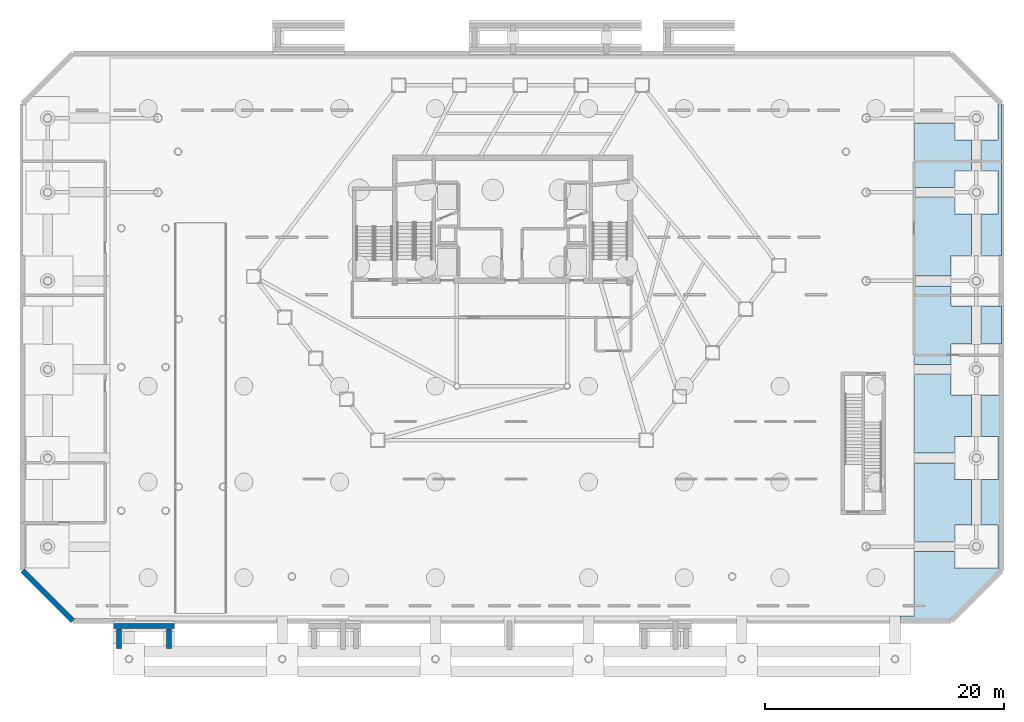
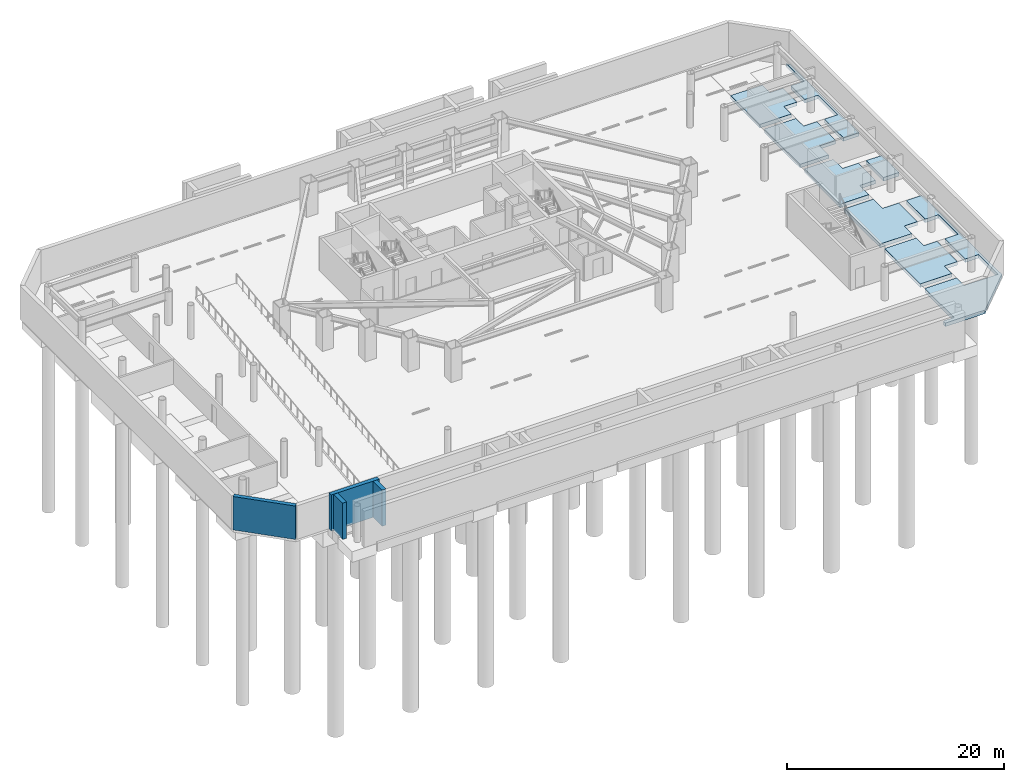
# One storey, part 9 of 19: 8 slabs, 4 walls.
"""IFC4 building model written with IfcOpenShell, lengths in metres."""

from ifc_helpers import new_model, si_unit, direction, frame, frame_2d, origin, place, context, subcontext, project, spatial, polyline, rectangle, outline, extrude, material, layer, layer_set, type_object, element, save


model = new_model("IFC4")

# Units and contexts
model_context = context("Model", 3, precision=1e-05, world=origin(), true_north=direction((0.0, 1.0)))
body_context = subcontext(model_context, "Body", "Model", "MODEL_VIEW")
ifc_project = project(units=[si_unit("LENGTHUNIT", "METRE"), si_unit("AREAUNIT", "SQUARE_METRE"), si_unit("VOLUMEUNIT", "CUBIC_METRE"), si_unit("PLANEANGLEUNIT", "RADIAN"), si_unit("MASSUNIT", "GRAM", prefix="KILO")], contexts=[model_context])

# Site, building, storey
site_placement = place(None, origin())
site = spatial("IfcSite", under=ifc_project, at=site_placement, CompositionType="ELEMENT")
building_placement = place(site_placement, origin())
building = spatial("IfcBuilding", under=site, at=building_placement, Name="Zarrinselat Tower", CompositionType="ELEMENT")
storey_placement = place(building_placement, frame((0.0, 0.0, -8.159912109375)))
storey = spatial("IfcBuildingStorey", under=building, at=storey_placement, Name="B02", CompositionType="ELEMENT", Elevation=-8.159912109375)

# Slabs
ifc_material_1 = material(Name="Concrete C50/60", Category="concrete")
ifc_layer_1 = layer(ifc_material_1, 0.39990234375)
ifc_layer_set_1 = layer_set([ifc_layer_1], Name="Concrete C50/60")
slab_type = type_object("IfcSlabType", Name="SLB-BASESLAB-400-SL-BS400", PredefinedType="BASESLAB", material=ifc_layer_set_1)
slab_1_placement = place(storey_placement, frame((0.0, 0.0, -0.400146484375)))
element("IfcSlab", 1, at=slab_1_placement, inside=storey, type_object=slab_type, Name="B02 Basement Base Slab Bay 8", PredefinedType="BASESLAB", context=body_context, shape_type="SweptSolid", body=[
    extrude(outline(polyline([(79.300048828125, 9.0), (75.10009765625, 4.800048828125), (70.864990234375, 4.800048828125), (70.864990234375, 5.18505859375), (72.0, 5.18505859375), (72.00146484375, 5.18505859375), (72.0029296875, 5.185302734375), (72.00439453125, 5.185546875), (72.005615234375, 5.18603515625), (72.007080078125, 5.186767578125), (72.00830078125, 5.1875), (72.009521484375, 5.1884765625), (72.010498046875, 5.189453125), (72.01171875, 5.1904296875), (72.012451171875, 5.191650390625), (72.01318359375, 5.19287109375), (72.013916015625, 5.1943359375), (72.014404296875, 5.195556640625), (72.0146484375, 5.197021484375), (72.014892578125, 5.198486328125), (72.014892578125, 5.199951171875), (72.014892578125, 10.5849609375), (75.385009765625, 10.5849609375), (75.385009765625, 9.199951171875), (75.385009765625, 9.198486328125), (75.38525390625, 9.197021484375), (75.385498046875, 9.195556640625), (75.385986328125, 9.1943359375), (75.38671875, 9.19287109375), (75.387451171875, 9.191650390625), (75.388427734375, 9.1904296875), (75.389404296875, 9.189453125), (75.390380859375, 9.1884765625), (75.3916015625, 9.1875), (75.392822265625, 9.186767578125), (75.394287109375, 9.18603515625), (75.3955078125, 9.185546875), (75.397216796875, 9.185302734375), (75.3984375, 9.18505859375), (75.39990234375, 9.18505859375), (79.0, 9.18505859375), (79.00146484375, 9.18505859375), (79.0029296875, 9.185302734375), (79.00439453125, 9.185546875), (79.005615234375, 9.18603515625), (79.007080078125, 9.186767578125), (79.00830078125, 9.1875), (79.009521484375, 9.1884765625), (79.010498046875, 9.189453125), (79.01171875, 9.1904296875), (79.012451171875, 9.191650390625), (79.01318359375, 9.19287109375), (79.013916015625, 9.1943359375), (79.014404296875, 9.195556640625), (79.0146484375, 9.197021484375), (79.014892578125, 9.198486328125), (79.014892578125, 9.199951171875), (79.014892578125, 12.800048828125), (79.014892578125, 12.801513671875), (79.0146484375, 12.802978515625), (79.014404296875, 12.804443359375), (79.013916015625, 12.8056640625), (79.01318359375, 12.80712890625), (79.012451171875, 12.808349609375), (79.01171875, 12.8095703125), (79.010498046875, 12.810546875), (79.009521484375, 12.8115234375), (79.00830078125, 12.8125), (79.007080078125, 12.813232421875), (79.005615234375, 12.81396484375), (79.00439453125, 12.814453125), (79.0029296875, 12.814697265625), (79.00146484375, 12.81494140625), (79.0, 12.81494140625), (77.614990234375, 12.81494140625), (77.614990234375, 16.5849609375), (79.0, 16.5849609375), (79.00146484375, 16.585205078125), (79.0029296875, 16.585205078125), (79.00439453125, 16.585693359375), (79.005615234375, 16.586181640625), (79.007080078125, 16.5869140625), (79.00830078125, 16.58740234375), (79.009521484375, 16.58837890625), (79.010498046875, 16.58935546875), (79.01171875, 16.590576171875), (79.012451171875, 16.591796875), (79.01318359375, 16.593017578125), (79.013916015625, 16.59423828125), (79.014404296875, 16.595703125), (79.0146484375, 16.59716796875), (79.014892578125, 16.598388671875), (79.014892578125, 16.60009765625), (79.014892578125, 20.199951171875), (79.014892578125, 20.201416015625), (79.0146484375, 20.202880859375), (79.014404296875, 20.204345703125), (79.013916015625, 20.205810546875), (79.01318359375, 20.20703125), (79.012451171875, 20.208251953125), (79.01171875, 20.20947265625), (79.010498046875, 20.210693359375), (79.009521484375, 20.211669921875), (79.00830078125, 20.21240234375), (79.007080078125, 20.213134765625), (79.005615234375, 20.2138671875), (79.00439453125, 20.21435546875), (79.0029296875, 20.214599609375), (79.00146484375, 20.21484375), (79.0, 20.215087890625), (77.614990234375, 20.215087890625), (77.614990234375, 23.68505859375), (79.300048828125, 23.68505859375), (79.300048828125, 9.0)])), origin(), (0.0, 0.0, 1.0), 0.400146484375),
])
slab_2_placement = place(storey_placement, frame((0.0, 0.0, -0.400146484375)))
element("IfcSlab", 2, at=slab_2_placement, inside=storey, type_object=slab_type, Name="B02 Basement Base Slab Bay 9", PredefinedType="BASESLAB", context=body_context, shape_type="SweptSolid", body=[
    extrude(outline(polyline([(79.300048828125, 27.9150390625), (77.614990234375, 27.9150390625), (77.614990234375, 31.0849609375), (79.300048828125, 31.0849609375), (79.300048828125, 27.9150390625)])), origin(), (0.0, 0.0, 1.0), 0.400146484375),
])
slab_3_placement = place(storey_placement, frame((0.0, 0.0, -0.400146484375)))
element("IfcSlab", 3, at=slab_3_placement, inside=storey, type_object=slab_type, Name="B02 Basement Base Slab Bay 10", PredefinedType="BASESLAB", context=body_context, shape_type="SweptSolid", body=[
    extrude(outline(polyline([(79.300048828125, 48.0), (79.300048828125, 35.31494140625), (77.614990234375, 35.31494140625), (77.614990234375, 38.784912109375), (79.0, 38.784912109375), (79.00146484375, 38.78515625), (79.0029296875, 38.785400390625), (79.00439453125, 38.78564453125), (79.005615234375, 38.7861328125), (79.007080078125, 38.786865234375), (79.00830078125, 38.78759765625), (79.009521484375, 38.788330078125), (79.010498046875, 38.789306640625), (79.01171875, 38.79052734375), (79.012451171875, 38.791748046875), (79.01318359375, 38.79296875), (79.013916015625, 38.794189453125), (79.014404296875, 38.795654296875), (79.0146484375, 38.797119140625), (79.014892578125, 38.798583984375), (79.014892578125, 38.800048828125), (79.014892578125, 42.39990234375), (79.014892578125, 42.401611328125), (79.0146484375, 42.40283203125), (79.014404296875, 42.404296875), (79.013916015625, 42.40576171875), (79.01318359375, 42.406982421875), (79.012451171875, 42.408203125), (79.01171875, 42.409423828125), (79.010498046875, 42.41064453125), (79.009521484375, 42.41162109375), (79.00830078125, 42.41259765625), (79.007080078125, 42.4130859375), (79.005615234375, 42.413818359375), (79.00439453125, 42.414306640625), (79.0029296875, 42.414794921875), (79.00146484375, 42.414794921875), (79.0, 42.4150390625), (77.614990234375, 42.4150390625), (77.614990234375, 44.985107421875), (79.0, 44.985107421875), (79.00146484375, 44.985107421875), (79.0029296875, 44.9853515625), (79.00439453125, 44.985595703125), (79.005615234375, 44.986083984375), (79.007080078125, 44.98681640625), (79.00830078125, 44.987548828125), (79.009521484375, 44.98828125), (79.010498046875, 44.989501953125), (79.01171875, 44.990478515625), (79.012451171875, 44.99169921875), (79.01318359375, 44.992919921875), (79.013916015625, 44.994384765625), (79.014404296875, 44.99560546875), (79.0146484375, 44.9970703125), (79.014892578125, 44.99853515625), (79.014892578125, 45.0), (79.014892578125, 48.284912109375), (79.300048828125, 48.0)])), origin(), (0.0, 0.0, 1.0), 0.400146484375),
])
slab_4_placement = place(storey_placement, frame((0.0, 0.0, -0.400146484375)))
element("IfcSlab", 4, at=slab_4_placement, inside=storey, type_object=slab_type, Name="B02 Basement Base Slab Bay 14", PredefinedType="BASESLAB", context=body_context, shape_type="SweptSolid", body=[
    extrude(outline(polyline([(72.014892578125, 41.014892578125), (72.014892578125, 46.385009765625), (75.385009765625, 46.385009765625), (75.385009765625, 45.0), (75.385009765625, 44.99853515625), (75.38525390625, 44.9970703125), (75.385498046875, 44.99560546875), (75.385986328125, 44.994384765625), (75.38671875, 44.992919921875), (75.387451171875, 44.99169921875), (75.388427734375, 44.990478515625), (75.389404296875, 44.989501953125), (75.390380859375, 44.98828125), (75.3916015625, 44.987548828125), (75.392822265625, 44.98681640625), (75.394287109375, 44.986083984375), (75.3955078125, 44.985595703125), (75.397216796875, 44.9853515625), (75.3984375, 44.985107421875), (75.39990234375, 44.985107421875), (76.784912109375, 44.985107421875), (76.784912109375, 42.4150390625), (75.39990234375, 42.4150390625), (75.3984375, 42.414794921875), (75.397216796875, 42.414794921875), (75.3955078125, 42.414306640625), (75.394287109375, 42.413818359375), (75.392822265625, 42.4130859375), (75.3916015625, 42.41259765625), (75.390380859375, 42.41162109375), (75.389404296875, 42.41064453125), (75.388427734375, 42.409423828125), (75.387451171875, 42.408203125), (75.38671875, 42.406982421875), (75.385986328125, 42.40576171875), (75.385498046875, 42.404296875), (75.38525390625, 42.40283203125), (75.385009765625, 42.401611328125), (75.385009765625, 42.39990234375), (75.385009765625, 41.014892578125), (72.014892578125, 41.014892578125)])), origin(), (0.0, 0.0, 1.0), 0.400146484375),
])
slab_5_placement = place(storey_placement, frame((0.0, 0.0, -0.400146484375)))
element("IfcSlab", 5, at=slab_5_placement, inside=storey, type_object=slab_type, Name="B02 Basement Base Slab Bay 15", PredefinedType="BASESLAB", context=body_context, shape_type="SweptSolid", body=[
    extrude(outline(polyline([(72.014892578125, 18.81494140625), (72.014892578125, 25.385009765625), (75.0849609375, 25.385009765625), (75.0849609375, 23.699951171875), (75.085205078125, 23.698486328125), (75.085205078125, 23.697021484375), (75.085693359375, 23.695556640625), (75.086181640625, 23.6943359375), (75.0869140625, 23.69287109375), (75.08740234375, 23.691650390625), (75.08837890625, 23.6904296875), (75.08935546875, 23.689453125), (75.090576171875, 23.6884765625), (75.091796875, 23.6875), (75.093017578125, 23.686767578125), (75.09423828125, 23.68603515625), (75.095703125, 23.685546875), (75.09716796875, 23.685302734375), (75.098388671875, 23.68505859375), (75.10009765625, 23.68505859375), (76.784912109375, 23.68505859375), (76.784912109375, 20.215087890625), (75.39990234375, 20.215087890625), (75.3984375, 20.21484375), (75.397216796875, 20.214599609375), (75.3955078125, 20.21435546875), (75.394287109375, 20.2138671875), (75.392822265625, 20.213134765625), (75.3916015625, 20.21240234375), (75.390380859375, 20.211669921875), (75.389404296875, 20.210693359375), (75.388427734375, 20.20947265625), (75.387451171875, 20.208251953125), (75.38671875, 20.20703125), (75.385986328125, 20.205810546875), (75.385498046875, 20.204345703125), (75.38525390625, 20.202880859375), (75.385009765625, 20.201416015625), (75.385009765625, 20.199951171875), (75.385009765625, 18.81494140625), (72.014892578125, 18.81494140625)])), origin(), (0.0, 0.0, 1.0), 0.400146484375),
])
slab_6_placement = place(storey_placement, frame((0.0, 0.0, -0.400146484375)))
element("IfcSlab", 6, at=slab_6_placement, inside=storey, type_object=slab_type, Name="B02 Basement Base Slab Bay 16", PredefinedType="BASESLAB", context=body_context, shape_type="SweptSolid", body=[
    extrude(outline(polyline([(72.014892578125, 11.4150390625), (72.014892578125, 17.985107421875), (75.385009765625, 17.985107421875), (75.385009765625, 16.60009765625), (75.385009765625, 16.598388671875), (75.38525390625, 16.59716796875), (75.385498046875, 16.595703125), (75.385986328125, 16.59423828125), (75.38671875, 16.593017578125), (75.387451171875, 16.591796875), (75.388427734375, 16.590576171875), (75.389404296875, 16.58935546875), (75.390380859375, 16.58837890625), (75.3916015625, 16.58740234375), (75.392822265625, 16.5869140625), (75.394287109375, 16.586181640625), (75.3955078125, 16.585693359375), (75.397216796875, 16.585205078125), (75.3984375, 16.585205078125), (75.39990234375, 16.5849609375), (76.784912109375, 16.5849609375), (76.784912109375, 12.81494140625), (75.39990234375, 12.81494140625), (75.3984375, 12.81494140625), (75.397216796875, 12.814697265625), (75.3955078125, 12.814453125), (75.394287109375, 12.81396484375), (75.392822265625, 12.813232421875), (75.3916015625, 12.8125), (75.390380859375, 12.8115234375), (75.389404296875, 12.810546875), (75.388427734375, 12.8095703125), (75.387451171875, 12.808349609375), (75.38671875, 12.80712890625), (75.385986328125, 12.8056640625), (75.385498046875, 12.804443359375), (75.38525390625, 12.802978515625), (75.385009765625, 12.801513671875), (75.385009765625, 12.800048828125), (75.385009765625, 11.4150390625), (72.014892578125, 11.4150390625)])), origin(), (0.0, 0.0, 1.0), 0.400146484375),
])
slab_7_placement = place(storey_placement, frame((0.0, 0.0, -0.400146484375)))
element("IfcSlab", 7, at=slab_7_placement, inside=storey, type_object=slab_type, Name="B02 Basement Base Slab Bay 17", PredefinedType="BASESLAB", context=body_context, shape_type="SweptSolid", body=[
    extrude(outline(polyline([(72.014892578125, 33.614990234375), (72.014892578125, 40.18505859375), (75.385009765625, 40.18505859375), (75.385009765625, 38.800048828125), (75.385009765625, 38.798583984375), (75.38525390625, 38.797119140625), (75.385498046875, 38.795654296875), (75.385986328125, 38.794189453125), (75.38671875, 38.79296875), (75.387451171875, 38.791748046875), (75.388427734375, 38.79052734375), (75.389404296875, 38.789306640625), (75.390380859375, 38.788330078125), (75.3916015625, 38.78759765625), (75.392822265625, 38.786865234375), (75.394287109375, 38.7861328125), (75.3955078125, 38.78564453125), (75.397216796875, 38.785400390625), (75.3984375, 38.78515625), (75.39990234375, 38.784912109375), (76.784912109375, 38.784912109375), (76.784912109375, 35.31494140625), (75.10009765625, 35.31494140625), (75.098388671875, 35.31494140625), (75.09716796875, 35.314697265625), (75.095703125, 35.314453125), (75.09423828125, 35.31396484375), (75.093017578125, 35.313232421875), (75.091796875, 35.3125), (75.090576171875, 35.3115234375), (75.08935546875, 35.310546875), (75.08837890625, 35.3095703125), (75.08740234375, 35.308349609375), (75.0869140625, 35.30712890625), (75.086181640625, 35.3056640625), (75.085693359375, 35.304443359375), (75.085205078125, 35.302978515625), (75.085205078125, 35.301513671875), (75.0849609375, 35.300048828125), (75.0849609375, 33.614990234375), (72.014892578125, 33.614990234375)])), origin(), (0.0, 0.0, 1.0), 0.400146484375),
])
slab_8_placement = place(storey_placement, frame((0.0, 0.0, -0.400146484375)))
element("IfcSlab", 8, at=slab_8_placement, inside=storey, type_object=slab_type, Name="B02 Basement Base Slab Bay 18", PredefinedType="BASESLAB", context=body_context, shape_type="SweptSolid", body=[
    extrude(outline(polyline([(72.014892578125, 26.215087890625), (72.014892578125, 32.784912109375), (75.0849609375, 32.784912109375), (75.0849609375, 31.10009765625), (75.085205078125, 31.098388671875), (75.085205078125, 31.09716796875), (75.085693359375, 31.095703125), (75.086181640625, 31.09423828125), (75.0869140625, 31.093017578125), (75.08740234375, 31.091796875), (75.08837890625, 31.090576171875), (75.08935546875, 31.08935546875), (75.090576171875, 31.08837890625), (75.091796875, 31.08740234375), (75.093017578125, 31.0869140625), (75.09423828125, 31.086181640625), (75.095703125, 31.085693359375), (75.09716796875, 31.085205078125), (75.098388671875, 31.085205078125), (75.10009765625, 31.0849609375), (76.784912109375, 31.0849609375), (76.784912109375, 27.9150390625), (75.10009765625, 27.9150390625), (75.098388671875, 27.914794921875), (75.09716796875, 27.914794921875), (75.095703125, 27.914306640625), (75.09423828125, 27.913818359375), (75.093017578125, 27.9130859375), (75.091796875, 27.91259765625), (75.090576171875, 27.91162109375), (75.08935546875, 27.91064453125), (75.08837890625, 27.909423828125), (75.08740234375, 27.908203125), (75.0869140625, 27.906982421875), (75.086181640625, 27.90576171875), (75.085693359375, 27.904296875), (75.085205078125, 27.90283203125), (75.085205078125, 27.901611328125), (75.0849609375, 27.89990234375), (75.0849609375, 26.215087890625), (72.014892578125, 26.215087890625)])), origin(), (0.0, 0.0, 1.0), 0.400146484375),
])

# Walls
ifc_material_2 = material(Name="Concrete C50/60", Category="concrete")
ifc_layer_2 = layer(ifc_material_2, 0.419921875)
ifc_layer_set_2 = layer_set([ifc_layer_2], Name="Concrete C50/60")
wall_type = type_object("IfcWallType", Name="WAL-RET-420", PredefinedType="SOLIDWALL", material=ifc_layer_set_2)
wall_1_placement = place(storey_placement, frame((5.10009765625, 4.35009765625, 0.0), z_axis=(0.0, 0.0, 1.0), x_axis=(1.0, 0.0, 0.0)))
element("IfcWall", 9, at=wall_1_placement, inside=storey, type_object=wall_type, Name="B02 VG Apron North Bearing Wall", PredefinedType="SOLIDWALL", context=body_context, shape_type="SweptSolid", body=[
    extrude(rectangle(XDim=5.099853515625, YDim=0.419921875, at=frame_2d((2.5498046875, 0.0))), origin(), (0.0, 0.0, 1.0), 4.079833984375),
])
for number, where, z_axis, x_axis, name in (
    (10, (5.550048828125, 2.469970703125, 0.0), (0.0, 0.0, 1.0), (0.0, 1.0, 0.0), "B02 VG Apron West Cross Bearing Wall"),
    (11, (9.75, 2.469970703125, 0.0), (0.0, 0.0, 1.0), (0.0, 1.0, 0.0), "B02 VG Apron East Cross Bearing Wall"),
):
    element("IfcWall", number, at=place(storey_placement, frame(where, z_axis=z_axis, x_axis=x_axis)), inside=storey, type_object=wall_type, Name=name, PredefinedType="SOLIDWALL", context=body_context, shape_type="SweptSolid", body=[
        extrude(rectangle(XDim=1.659912109375, YDim=0.419921875, at=frame_2d((0.830078125, 0.0))), origin(), (0.0, 0.0, 1.0), 4.079833984375),
    ])
wall_2_placement = place(storey_placement, frame((-2.5, 9.0, 0.0), z_axis=(0.0, 0.0, 1.0), x_axis=(0.707106781187, -0.707106781187, 0.0)))
element("IfcWall", 12, at=wall_2_placement, inside=storey, type_object=wall_type, Name="B02 Basement Perimeter Retaining Wall 8", PredefinedType="SOLIDWALL", context=body_context, shape_type="SweptSolid", body=[
    extrude(rectangle(XDim=5.939697265625, YDim=0.419921875, at=frame_2d((2.9697265625, 0.0))), origin(), (0.0, 0.0, 1.0), 3.760009765625),
])

save(model, "model.ifc")
